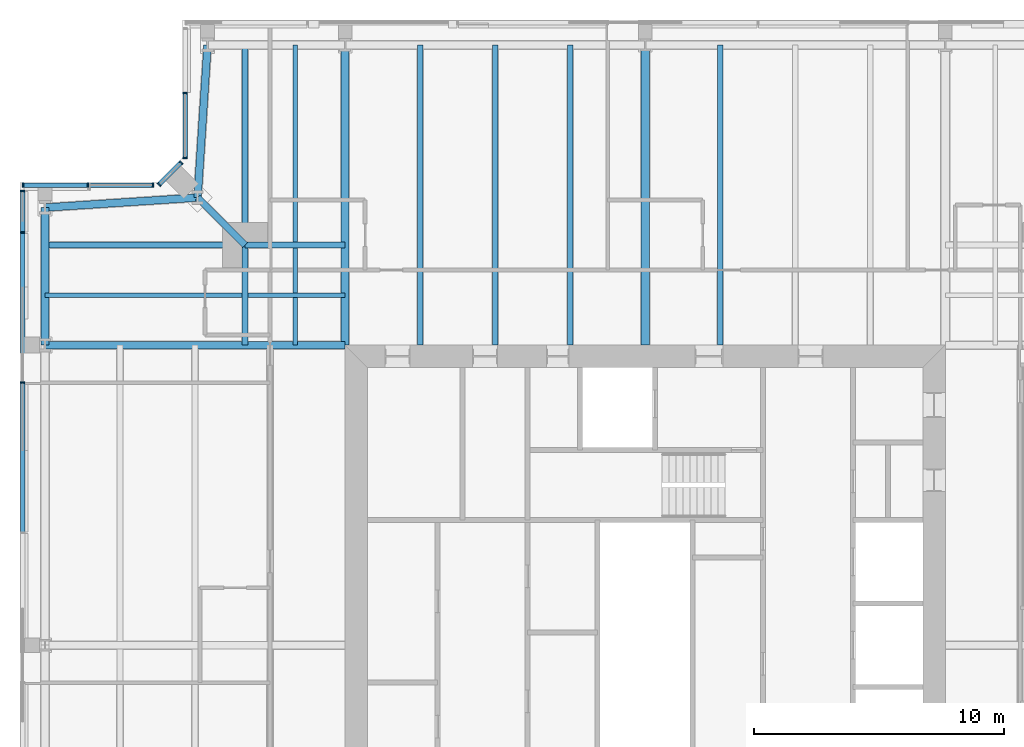
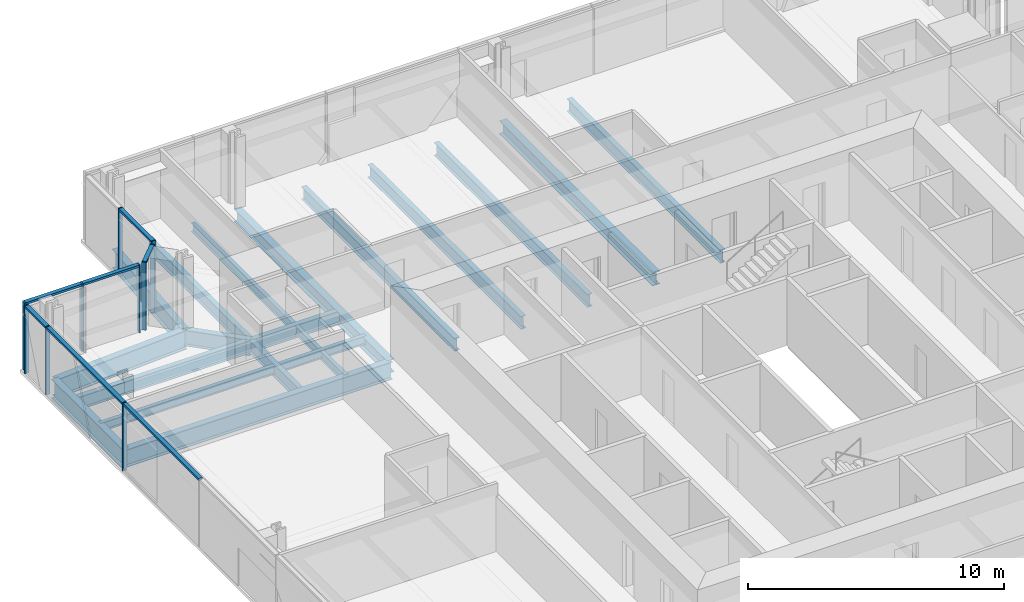
# One storey, part 7 of 20: 20 beams, 17 members, 4 elements without a shape of their own.
"""IFC4 building model written with IfcOpenShell, lengths in metres."""

from ifc_helpers import new_model, si_unit, direction, frame, origin, origin_2d, place, context, subcontext, project, spatial, rectangle, i_section, extrude, material, material_profile, profile_set, type_object, element, aggregate, save


model = new_model("IFC4")

# Units and contexts
model_context = context("Model", 3, precision=1e-05, world=origin(), true_north=direction((0.0, 1.0)))
body_context = subcontext(model_context, "Body", "Model", "MODEL_VIEW")
ifc_project = project(units=[si_unit("LENGTHUNIT", "METRE"), si_unit("AREAUNIT", "SQUARE_METRE"), si_unit("VOLUMEUNIT", "CUBIC_METRE"), si_unit("PLANEANGLEUNIT", "RADIAN"), si_unit("MASSUNIT", "GRAM", prefix="KILO")], contexts=[model_context])

# Site, building, storey
site_placement = place(None, origin())
site = spatial("IfcSite", under=ifc_project, at=site_placement, CompositionType="ELEMENT")
building_placement = place(site_placement, origin())
building = spatial("IfcBuilding", under=site, at=building_placement, Name="Fenwick Lantern Interchange", CompositionType="ELEMENT")
storey_placement = place(building_placement, frame((0.0, 0.0, 276.39990234375)))
storey = spatial("IfcBuildingStorey", under=building, at=storey_placement, Name="L66", CompositionType="ELEMENT", Elevation=276.39990234375)

# Beams
ifc_material_1 = material(Name="Steel ASTM A992 Grade 50", Category="steel")
ifc_material_profile_1 = material_profile(ifc_material_1, i_section(OverallWidth=0.3046875, OverallDepth=0.911865234375, WebThickness=0.015869140625, FlangeThickness=0.02392578125, at=origin_2d()), Name="W36X150")
ifc_profile_set_1 = profile_set([ifc_material_profile_1], Name="Steel ASTM A992 Grade 50")
beam_type_1 = type_object("IfcBeamType", Name="EDGE BEAM W36X150", PredefinedType="SPANDREL", material=ifc_profile_set_1)
for number, where, z_axis, x_axis, name in (
    (1, (7.5, 49.0, -0.605712890625), (-0.065416293237, -0.997858060337, 0.0), (0.997858060337, -0.065416293237, 0.0), "L66/FR/N/EBR1"),
    (2, (7.10009765625, 42.89990234375, -0.605712890625), (-0.997858060337, -0.065416293237, 0.0), (0.065416293237, -0.997858060337, 0.0), "L66/FR/N/EBR2"),
):
    element("IfcBeam", number, at=place(storey_placement, frame(where, z_axis=z_axis, x_axis=x_axis)), inside=storey, type_object=beam_type_1, Name=name, PredefinedType="SPANDREL", context=body_context, shape_type="SweptSolid", body=[
        extrude(i_section(OverallWidth=0.3046875, OverallDepth=0.911865234375, WebThickness=0.015869140625, FlangeThickness=0.02392578125, at=origin_2d()), origin(), (0.0, 0.0, 1.0), 6.11328125),
    ])
beam_1_placement = place(storey_placement, frame((1.0, 42.5, -0.605712890625), z_axis=(0.0, -1.0, 0.0), x_axis=(1.0, 0.0, 0.0)))
element("IfcBeam", 3, at=beam_1_placement, inside=storey, type_object=beam_type_1, Name="L66/FR/W/EB1", PredefinedType="SPANDREL", context=body_context, shape_type="SweptSolid", body=[
    extrude(i_section(OverallWidth=0.3046875, OverallDepth=0.911865234375, WebThickness=0.015869140625, FlangeThickness=0.02392578125, at=origin_2d()), origin(), (0.0, 0.0, 1.0), 5.5),
])
ifc_material_profile_2 = material_profile(ifc_material_1, i_section(OverallWidth=0.22900390625, OverallDepth=0.612060546875, WebThickness=0.011962890625, FlangeThickness=0.01953125, at=origin_2d()), Name="W24X84")
ifc_profile_set_2 = profile_set([ifc_material_profile_2], Name="Steel ASTM A992 Grade 50")
beam_type_2 = type_object("IfcBeamType", Name="FLOOR BEAM W24X84", PredefinedType="BEAM", material=ifc_profile_set_2)
for number, where, z_axis, x_axis, name in (
    (4, (28.0, 49.0, -0.4560546875), (0.0, -1.0, 0.0), (1.0, 0.0, 0.0), "L66/FR/N/R04"),
    (5, (22.0, 49.0, -0.4560546875), (0.0, -1.0, 0.0), (1.0, 0.0, 0.0), "L66/FR/N/R06"),
    (6, (19.0, 49.0, -0.4560546875), (0.0, -1.0, 0.0), (1.0, 0.0, 0.0), "L66/FR/N/R07"),
    (7, (16.0, 49.0, -0.4560546875), (0.0, -1.0, 0.0), (1.0, 0.0, 0.0), "L66/FR/N/R08"),
):
    element("IfcBeam", number, at=place(storey_placement, frame(where, z_axis=z_axis, x_axis=x_axis)), inside=storey, type_object=beam_type_2, Name=name, PredefinedType="BEAM", context=body_context, shape_type="SweptSolid", body=[
        extrude(i_section(OverallWidth=0.22900390625, OverallDepth=0.612060546875, WebThickness=0.011962890625, FlangeThickness=0.01953125, at=origin_2d()), origin(), (0.0, 0.0, 1.0), 12.0),
    ])

# Curtain wall, members
ifc_material_2 = material(Name="Aluminium curtain wall frame", Category="aluminium")
curtain_wall_type = type_object("IfcCurtainWallType", Name="HOTEL CURTAIN WALL", PredefinedType="USERDEFINED", material=ifc_material_2)
curtain_wall_1_placement = place(storey_placement, origin())
curtain_wall_1 = element("IfcCurtainWall", 8, at=curtain_wall_1_placement, inside=storey, type_object=curtain_wall_type, Name="Hotel curtain wall 10", ObjectType="HOTEL CURTAIN WALL", PredefinedType="USERDEFINED")
ifc_material_3 = material(Name="Aluminium extrusion", Category="aluminium")
ifc_material_profile_3 = material_profile(ifc_material_3, rectangle(XDim=0.179931640625, YDim=0.06005859375, at=origin_2d()), Name="HOTEL CURTAIN WALL MULLION 60 X 180")
ifc_profile_set_3 = profile_set([ifc_material_profile_3], Name="Aluminium extrusion")
member_type_1 = type_object("IfcMemberType", Name="HOTEL CURTAIN WALL MULLION 60 X 180", PredefinedType="MULLION", material=ifc_profile_set_3)
member_1_placement = place(storey_placement, frame((6.60009765625, 47.079345703125, 0.0), z_axis=(0.0, 0.0, 1.0), x_axis=(1.0, 0.0, 0.0)))
member_1 = element("IfcMember", 9, at=member_1_placement, type_object=member_type_1, Name="L66/CW/10/M01", PredefinedType="MULLION", context=body_context, shape_type="SweptSolid", body=[
    extrude(rectangle(XDim=0.179931640625, YDim=0.06005859375, at=origin_2d()), origin(), (0.0, 0.0, 1.0), 3.25),
])
member_2_placement = place(storey_placement, frame((6.60009765625, 44.488525390625, 0.0), z_axis=(0.0, 0.0, 1.0), x_axis=(1.0, 0.0, 0.0)))
member_2 = element("IfcMember", 10, at=member_2_placement, type_object=member_type_1, Name="L66/CW/10/M02", PredefinedType="MULLION", context=body_context, shape_type="SweptSolid", body=[
    extrude(rectangle(XDim=0.179931640625, YDim=0.06005859375, at=origin_2d()), origin(), (0.0, 0.0, 1.0), 3.25),
])

curtain_wall_2_placement = place(storey_placement, origin())
curtain_wall_2 = element("IfcCurtainWall", 11, at=curtain_wall_2_placement, inside=storey, type_object=curtain_wall_type, Name="Hotel curtain wall 11", ObjectType="HOTEL CURTAIN WALL", PredefinedType="USERDEFINED")
member_3_placement = place(storey_placement, frame((6.437255859375, 44.2958984375, 0.0), z_axis=(0.0, 0.0, 1.0), x_axis=(0.707106781187, -0.707106781187, 0.0)))
member_3 = element("IfcMember", 12, at=member_3_placement, type_object=member_type_1, Name="L66/CW/11/M00", PredefinedType="MULLION", context=body_context, shape_type="SweptSolid", body=[
    extrude(rectangle(XDim=0.179931640625, YDim=0.06005859375, at=origin_2d()), origin(), (0.0, 0.0, 1.0), 3.25),
])
member_4_placement = place(storey_placement, frame((5.562744140625, 43.421142578125, 0.0), z_axis=(0.0, 0.0, 1.0), x_axis=(0.707106781187, -0.707106781187, 0.0)))
member_4 = element("IfcMember", 13, at=member_4_placement, type_object=member_type_1, Name="L66/CW/11/M01", PredefinedType="MULLION", context=body_context, shape_type="SweptSolid", body=[
    extrude(rectangle(XDim=0.179931640625, YDim=0.06005859375, at=origin_2d()), origin(), (0.0, 0.0, 1.0), 3.25),
])

curtain_wall_3_placement = place(storey_placement, origin())
curtain_wall_3 = element("IfcCurtainWall", 14, at=curtain_wall_3_placement, inside=storey, type_object=curtain_wall_type, Name="Hotel curtain wall 12", ObjectType="HOTEL CURTAIN WALL", PredefinedType="USERDEFINED")
member_5_placement = place(storey_placement, frame((5.3115234375, 43.39990234375, 0.0), z_axis=(0.0, 0.0, 1.0), x_axis=(0.0, -1.0, 0.0)))
member_5 = element("IfcMember", 15, at=member_5_placement, type_object=member_type_1, Name="L66/CW/12/M00", PredefinedType="MULLION", context=body_context, shape_type="SweptSolid", body=[
    extrude(rectangle(XDim=0.179931640625, YDim=0.06005859375, at=origin_2d()), origin(), (0.0, 0.0, 1.0), 3.25),
])
member_6_placement = place(storey_placement, frame((2.720703125, 43.39990234375, 0.0), z_axis=(0.0, 0.0, 1.0), x_axis=(0.0, -1.0, 0.0)))
member_6 = element("IfcMember", 16, at=member_6_placement, type_object=member_type_1, Name="L66/CW/12/M01", PredefinedType="MULLION", context=body_context, shape_type="SweptSolid", body=[
    extrude(rectangle(XDim=0.179931640625, YDim=0.06005859375, at=origin_2d()), origin(), (0.0, 0.0, 1.0), 3.25),
])
member_7_placement = place(storey_placement, frame((0.1298828125, 43.39990234375, 0.0), z_axis=(0.0, 0.0, 1.0), x_axis=(0.0, -1.0, 0.0)))
member_7 = element("IfcMember", 17, at=member_7_placement, type_object=member_type_1, Name="L66/CW/12/M02", PredefinedType="MULLION", context=body_context, shape_type="SweptSolid", body=[
    extrude(rectangle(XDim=0.179931640625, YDim=0.06005859375, at=origin_2d()), origin(), (0.0, 0.0, 1.0), 3.25),
])

curtain_wall_4_placement = place(storey_placement, origin())
curtain_wall_4 = element("IfcCurtainWall", 18, at=curtain_wall_4_placement, inside=storey, type_object=curtain_wall_type, Name="Hotel curtain wall 13", ObjectType="HOTEL CURTAIN WALL", PredefinedType="USERDEFINED")
member_8_placement = place(storey_placement, frame((0.10009765625, 43.169921875, 0.0), z_axis=(0.0, 0.0, 1.0), x_axis=(1.0, 0.0, 0.0)))
member_8 = element("IfcMember", 19, at=member_8_placement, type_object=member_type_1, Name="L66/CW/13/M00", PredefinedType="MULLION", context=body_context, shape_type="SweptSolid", body=[
    extrude(rectangle(XDim=0.179931640625, YDim=0.06005859375, at=origin_2d()), origin(), (0.0, 0.0, 1.0), 3.25),
])
member_9_placement = place(storey_placement, frame((0.10009765625, 41.5, 0.0), z_axis=(0.0, 0.0, 1.0), x_axis=(1.0, 0.0, 0.0)))
member_9 = element("IfcMember", 20, at=member_9_placement, type_object=member_type_1, Name="L66/CW/13/M01", PredefinedType="MULLION", context=body_context, shape_type="SweptSolid", body=[
    extrude(rectangle(XDim=0.179931640625, YDim=0.06005859375, at=origin_2d()), origin(), (0.0, 0.0, 1.0), 3.25),
])
member_10_placement = place(storey_placement, frame((0.10009765625, 35.5, 0.0), z_axis=(0.0, 0.0, 1.0), x_axis=(1.0, 0.0, 0.0)))
member_10 = element("IfcMember", 21, at=member_10_placement, type_object=member_type_1, Name="L66/CW/13/M02", PredefinedType="MULLION", context=body_context, shape_type="SweptSolid", body=[
    extrude(rectangle(XDim=0.179931640625, YDim=0.06005859375, at=origin_2d()), origin(), (0.0, 0.0, 1.0), 3.25),
])

# Member
ifc_material_profile_4 = material_profile(ifc_material_3, rectangle(XDim=0.179931640625, YDim=0.10009765625, at=origin_2d()), Name="HOTEL CURTAIN WALL TRANSOM 100 X 180")
ifc_profile_set_4 = profile_set([ifc_material_profile_4], Name="Aluminium extrusion")
member_type_2 = type_object("IfcMemberType", Name="HOTEL CURTAIN WALL TRANSOM 100 X 180", PredefinedType="MULLION", material=ifc_profile_set_4)
member_11_placement = place(storey_placement, frame((6.60009765625, 47.04931640625, 3.2001953125), z_axis=(0.0, -1.0, 0.0), x_axis=(1.0, 0.0, 0.0)))
member_11 = element("IfcMember", 22, at=member_11_placement, type_object=member_type_2, Name="L66/CW/10/T01", PredefinedType="MULLION", context=body_context, shape_type="SweptSolid", body=[
    extrude(rectangle(XDim=0.179931640625, YDim=0.10009765625, at=origin_2d()), origin(), (0.0, 0.0, 1.0), 2.53076171875),
])

aggregate(curtain_wall_1, [member_1, member_2, member_11])

member_12_placement = place(storey_placement, frame((6.416259765625, 44.274658203125, 3.2001953125), z_axis=(-0.707210470133, -0.707003077033, 0.0), x_axis=(0.707003077033, -0.707210470133, 0.0)))
member_12 = element("IfcMember", 23, at=member_12_placement, type_object=member_type_2, Name="L66/CW/11/T00", PredefinedType="MULLION", context=body_context, shape_type="SweptSolid", body=[
    extrude(rectangle(XDim=0.179931640625, YDim=0.10009765625, at=origin_2d()), origin(), (0.0, 0.0, 1.0), 1.17724609375),
])

aggregate(curtain_wall_2, [member_3, member_4, member_12])

member_13_placement = place(storey_placement, frame((5.281494140625, 43.39990234375, 3.2001953125), z_axis=(-1.0, 0.0, 0.0), x_axis=(0.0, -1.0, 0.0)))
member_13 = element("IfcMember", 24, at=member_13_placement, type_object=member_type_2, Name="L66/CW/12/T00", PredefinedType="MULLION", context=body_context, shape_type="SweptSolid", body=[
    extrude(rectangle(XDim=0.179931640625, YDim=0.10009765625, at=origin_2d()), origin(), (0.0, 0.0, 1.0), 2.53076171875),
])

member_14_placement = place(storey_placement, frame((2.690673828125, 43.39990234375, 3.2001953125), z_axis=(-1.0, 0.0, 0.0), x_axis=(0.0, -1.0, 0.0)))
member_14 = element("IfcMember", 25, at=member_14_placement, type_object=member_type_2, Name="L66/CW/12/T01", PredefinedType="MULLION", context=body_context, shape_type="SweptSolid", body=[
    extrude(rectangle(XDim=0.179931640625, YDim=0.10009765625, at=origin_2d()), origin(), (0.0, 0.0, 1.0), 2.53076171875),
])

aggregate(curtain_wall_3, [member_5, member_6, member_7, member_13, member_14])

member_15_placement = place(storey_placement, frame((0.10009765625, 43.139892578125, 3.2001953125), z_axis=(0.0, -1.0, 0.0), x_axis=(1.0, 0.0, 0.0)))
member_15 = element("IfcMember", 26, at=member_15_placement, type_object=member_type_2, Name="L66/CW/13/T00", PredefinedType="MULLION", context=body_context, shape_type="SweptSolid", body=[
    extrude(rectangle(XDim=0.179931640625, YDim=0.10009765625, at=origin_2d()), origin(), (0.0, 0.0, 1.0), 1.60986328125),
])

member_16_placement = place(storey_placement, frame((0.10009765625, 41.469970703125, 3.2001953125), z_axis=(0.0, -1.0, 0.0), x_axis=(1.0, 0.0, 0.0)))
member_16 = element("IfcMember", 27, at=member_16_placement, type_object=member_type_2, Name="L66/CW/13/T01", PredefinedType="MULLION", context=body_context, shape_type="SweptSolid", body=[
    extrude(rectangle(XDim=0.179931640625, YDim=0.10009765625, at=origin_2d()), origin(), (0.0, 0.0, 1.0), 5.93994140625),
])

member_17_placement = place(storey_placement, frame((0.10009765625, 35.469970703125, 3.2001953125), z_axis=(0.0, -1.0, 0.0), x_axis=(1.0, 0.0, 0.0)))
member_17 = element("IfcMember", 28, at=member_17_placement, type_object=member_type_2, Name="L66/CW/13/T02", PredefinedType="MULLION", context=body_context, shape_type="SweptSolid", body=[
    extrude(rectangle(XDim=0.179931640625, YDim=0.10009765625, at=origin_2d()), origin(), (0.0, 0.0, 1.0), 5.93994140625),
])

aggregate(curtain_wall_4, [member_8, member_9, member_10, member_15, member_16, member_17])

# Beams
ifc_material_profile_5 = material_profile(ifc_material_1, i_section(OverallWidth=0.177734375, OverallDepth=0.406494140625, WebThickness=0.0078125, FlangeThickness=0.012939453125, at=origin_2d()), Name="W16X40")
ifc_profile_set_5 = profile_set([ifc_material_profile_5], Name="Steel ASTM A992 Grade 50")
beam_type_3 = type_object("IfcBeamType", Name="INFILL BEAM W16X40", PredefinedType="JOIST", material=ifc_profile_set_5)
beam_2_placement = place(storey_placement, frame((1.0, 39.0, -0.35302734375), z_axis=(1.0, 0.0, 0.0), x_axis=(0.0, 1.0, 0.0)))
element("IfcBeam", 29, at=beam_2_placement, inside=storey, type_object=beam_type_3, Name="L66/FR/W/J1", PredefinedType="JOIST", context=body_context, shape_type="SweptSolid", body=[
    extrude(i_section(OverallWidth=0.177734375, OverallDepth=0.406494140625, WebThickness=0.0078125, FlangeThickness=0.012939453125, at=origin_2d()), origin(), (0.0, 0.0, 1.0), 7.885498046875),
])
beam_3_placement = place(storey_placement, frame((9.114501953125, 39.0, -0.35302734375), z_axis=(1.0, 0.0, 0.0), x_axis=(0.0, 1.0, 0.0)))
element("IfcBeam", 30, at=beam_3_placement, inside=storey, type_object=beam_type_3, Name="L66/FR/W/J2", PredefinedType="JOIST", context=body_context, shape_type="SweptSolid", body=[
    extrude(i_section(OverallWidth=0.177734375, OverallDepth=0.406494140625, WebThickness=0.0078125, FlangeThickness=0.012939453125, at=origin_2d()), origin(), (0.0, 0.0, 1.0), 3.885498046875),
])
beam_4_placement = place(storey_placement, frame((11.0, 49.0, -0.35302734375), z_axis=(0.0, -1.0, 0.0), x_axis=(1.0, 0.0, 0.0)))
element("IfcBeam", 31, at=beam_4_placement, inside=storey, type_object=beam_type_3, Name="L66/FR/W/J3", PredefinedType="JOIST", context=body_context, shape_type="SweptSolid", body=[
    extrude(i_section(OverallWidth=0.177734375, OverallDepth=0.406494140625, WebThickness=0.0078125, FlangeThickness=0.012939453125, at=origin_2d()), origin(), (0.0, 0.0, 1.0), 7.885498046875),
])
beam_5_placement = place(storey_placement, frame((11.0, 40.885498046875, -0.35302734375), z_axis=(0.0, -1.0, 0.0), x_axis=(1.0, 0.0, 0.0)))
element("IfcBeam", 32, at=beam_5_placement, inside=storey, type_object=beam_type_3, Name="L66/FR/W/J4", PredefinedType="JOIST", context=body_context, shape_type="SweptSolid", body=[
    extrude(i_section(OverallWidth=0.177734375, OverallDepth=0.406494140625, WebThickness=0.0078125, FlangeThickness=0.012939453125, at=origin_2d()), origin(), (0.0, 0.0, 1.0), 1.796630859375),
])
beam_6_placement = place(storey_placement, frame((11.0, 38.9111328125, -0.35302734375), z_axis=(0.0, -1.0, 0.0), x_axis=(1.0, 0.0, 0.0)))
element("IfcBeam", 33, at=beam_6_placement, inside=storey, type_object=beam_type_3, Name="L66/FR/W/J5", PredefinedType="JOIST", context=body_context, shape_type="SweptSolid", body=[
    extrude(i_section(OverallWidth=0.177734375, OverallDepth=0.406494140625, WebThickness=0.0078125, FlangeThickness=0.012939453125, at=origin_2d()), origin(), (0.0, 0.0, 1.0), 1.9111328125),
])
ifc_material_profile_6 = material_profile(ifc_material_1, i_section(OverallWidth=0.22900390625, OverallDepth=0.612060546875, WebThickness=0.011962890625, FlangeThickness=0.01953125, at=origin_2d()), Name="W24X84")
ifc_profile_set_6 = profile_set([ifc_material_profile_6], Name="Steel ASTM A992 Grade 50")
beam_type_4 = type_object("IfcBeamType", Name="MEGA COLUMN BEAM W24X84", PredefinedType="BEAM", material=ifc_profile_set_6)
for number, where, z_axis, x_axis, name in (
    (34, (9.0, 41.0, -0.4560546875), (-1.0, 0.0, 0.0), (0.0, -1.0, 0.0), "L66/FR/W/MB1"),
    (35, (9.0, 41.0, -0.4560546875), (0.0, 1.0, 0.0), (-1.0, 0.0, 0.0), "L66/FR/W/MB2"),
):
    element("IfcBeam", number, at=place(storey_placement, frame(where, z_axis=z_axis, x_axis=x_axis)), inside=storey, type_object=beam_type_4, Name=name, PredefinedType="BEAM", context=body_context, shape_type="SweptSolid", body=[
        extrude(i_section(OverallWidth=0.22900390625, OverallDepth=0.612060546875, WebThickness=0.011962890625, FlangeThickness=0.01953125, at=origin_2d()), origin(), (0.0, 0.0, 1.0), 8.0),
    ])
for number, where, z_axis, x_axis, name in (
    (36, (9.0, 41.0, -0.4560546875), (0.0, -1.0, 0.0), (1.0, 0.0, 0.0), "L66/FR/W/MB3"),
    (37, (9.0, 41.0, -0.4560546875), (1.0, 0.0, 0.0), (0.0, 1.0, 0.0), "L66/FR/W/MB4"),
):
    element("IfcBeam", number, at=place(storey_placement, frame(where, z_axis=z_axis, x_axis=x_axis)), inside=storey, type_object=beam_type_4, Name=name, PredefinedType="BEAM", context=body_context, shape_type="SweptSolid", body=[
        extrude(i_section(OverallWidth=0.22900390625, OverallDepth=0.612060546875, WebThickness=0.011962890625, FlangeThickness=0.01953125, at=origin_2d()), origin(), (0.0, 0.0, 1.0), 4.0),
    ])
ifc_material_profile_7 = material_profile(ifc_material_1, i_section(OverallWidth=0.32763671875, OverallDepth=0.622314453125, WebThickness=0.015380859375, FlangeThickness=0.0244140625, at=origin_2d()), Name="W24X131")
ifc_profile_set_7 = profile_set([ifc_material_profile_7], Name="Steel ASTM A992 Grade 50")
beam_type_5 = type_object("IfcBeamType", Name="MOMENT-CONNECTED GIRDER W24X131", PredefinedType="BEAM", material=ifc_profile_set_7)
for number, where, z_axis, x_axis, name in (
    (38, (25.0, 49.0, -0.4609375), (0.0, -1.0, 0.0), (1.0, 0.0, 0.0), "L66/FR/N/R05"),
    (39, (13.0, 49.0, -0.4609375), (0.0, -1.0, 0.0), (1.0, 0.0, 0.0), "L66/FR/N/R09"),
):
    element("IfcBeam", number, at=place(storey_placement, frame(where, z_axis=z_axis, x_axis=x_axis)), inside=storey, type_object=beam_type_5, Name=name, PredefinedType="BEAM", context=body_context, shape_type="SweptSolid", body=[
        extrude(i_section(OverallWidth=0.32763671875, OverallDepth=0.622314453125, WebThickness=0.015380859375, FlangeThickness=0.0244140625, at=origin_2d()), origin(), (0.0, 0.0, 1.0), 12.0),
    ])
ifc_material_profile_8 = material_profile(ifc_material_1, i_section(OverallWidth=0.2919921875, OverallDepth=0.845703125, WebThickness=0.015380859375, FlangeThickness=0.0244140625, at=origin_2d()), Name="W33X141")
ifc_profile_set_8 = profile_set([ifc_material_profile_8], Name="Steel ASTM A992 Grade 50")
beam_type_6 = type_object("IfcBeamType", Name="MOMENT-CONNECTED GIRDER W33X141", PredefinedType="BEAM", material=ifc_profile_set_8)
beam_7_placement = place(storey_placement, frame((1.0, 37.0, -0.57275390625), z_axis=(1.0, 0.0, 0.0), x_axis=(0.0, 1.0, 0.0)))
element("IfcBeam", 40, at=beam_7_placement, inside=storey, type_object=beam_type_6, Name="L66/FR/W/R01", PredefinedType="BEAM", context=body_context, shape_type="SweptSolid", body=[
    extrude(i_section(OverallWidth=0.2919921875, OverallDepth=0.845703125, WebThickness=0.015380859375, FlangeThickness=0.0244140625, at=origin_2d()), origin(), (0.0, 0.0, 1.0), 12.0),
])
ifc_material_profile_9 = material_profile(ifc_material_1, i_section(OverallWidth=0.2666015625, OverallDepth=0.7568359375, WebThickness=0.013916015625, FlangeThickness=0.019287109375, at=origin_2d()), Name="W30X108")
ifc_profile_set_9 = profile_set([ifc_material_profile_9], Name="Steel ASTM A992 Grade 50")
beam_type_7 = type_object("IfcBeamType", Name="NOTCH BEAM W30X108", PredefinedType="BEAM", material=ifc_profile_set_9)
beam_8_placement = place(storey_placement, frame((9.0, 41.0, -0.5283203125), z_axis=(-0.707106781187, 0.707106781187, 0.0), x_axis=(-0.707106781187, -0.707106781187, 0.0)))
element("IfcBeam", 41, at=beam_8_placement, inside=storey, type_object=beam_type_7, Name="L66/FR/W/TG", PredefinedType="BEAM", context=body_context, shape_type="SweptSolid", body=[
    extrude(i_section(OverallWidth=0.2666015625, OverallDepth=0.7568359375, WebThickness=0.013916015625, FlangeThickness=0.019287109375, at=origin_2d()), origin(), (0.0, 0.0, 1.0), 2.686767578125),
])

save(model, "model.ifc")
